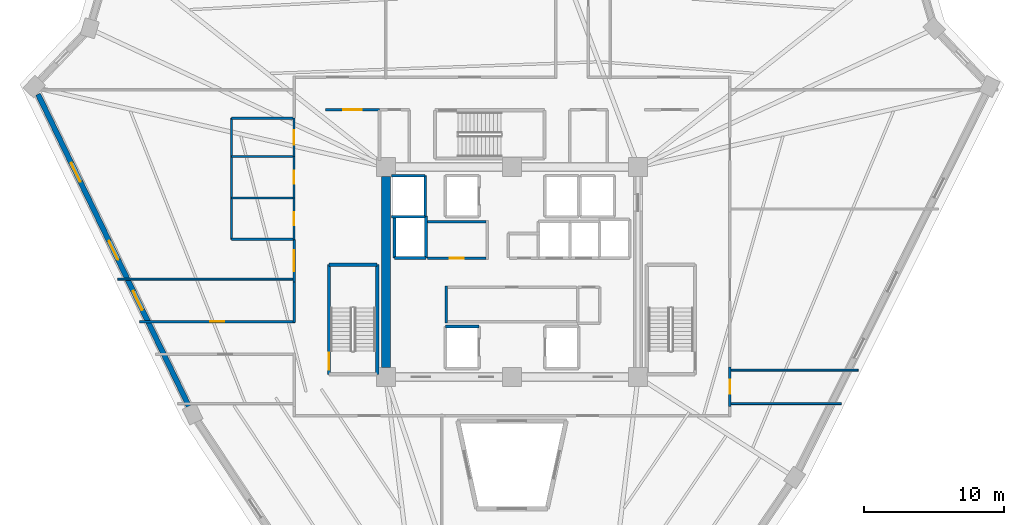
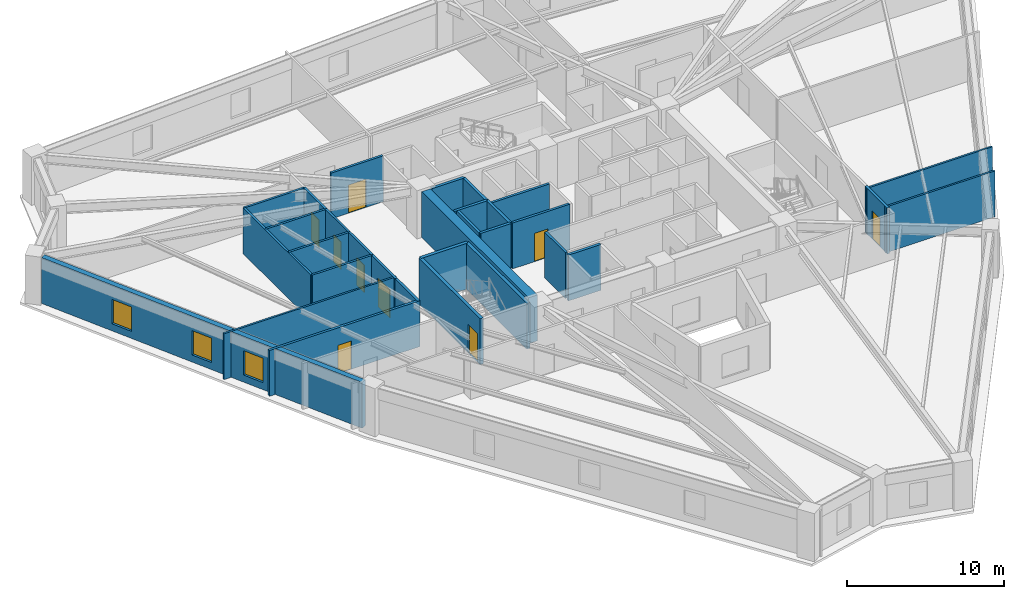
# One storey, part 4 of 8: 31 walls, 9 doors, 3 windows, 12 openings.
"""IFC4 building model written with IfcOpenShell, lengths in metres."""

from ifc_helpers import new_model, si_unit, direction, frame, frame_2d, origin, place, context, subcontext, project, spatial, rectangle, extrude, source, transform, mapped, material, layer, layer_set, type_object, element, fill, save


model = new_model("IFC4")

# Units and contexts
model_context = context("Model", 3, precision=1e-05, world=origin(), true_north=direction((0.0, 1.0)))
body_context = subcontext(model_context, "Body", "Model", "MODEL_VIEW")
ifc_project = project(units=[si_unit("LENGTHUNIT", "METRE"), si_unit("AREAUNIT", "SQUARE_METRE"), si_unit("VOLUMEUNIT", "CUBIC_METRE"), si_unit("PLANEANGLEUNIT", "RADIAN"), si_unit("MASSUNIT", "GRAM", prefix="KILO")], contexts=[model_context])

# Site, building, storey
site_placement = place(None, origin())
site = spatial("IfcSite", under=ifc_project, at=site_placement, CompositionType="ELEMENT")
building_placement = place(site_placement, origin())
building = spatial("IfcBuilding", under=site, at=building_placement, Name="Liaohun Quay Tower", CompositionType="ELEMENT")
storey_placement = place(building_placement, frame((0.0, 0.0, 198.0)))
storey = spatial("IfcBuildingStorey", under=building, at=storey_placement, Name="L51", CompositionType="ELEMENT", Elevation=198.0)

# Wall
ifc_material_1 = material(Name="Concrete C55", Category="concrete")
ifc_layer_1 = layer(ifc_material_1, 0.64990234375, Name="Concrete C55", Category="concrete")
ifc_layer_set_1 = layer_set([ifc_layer_1], Name="Concrete C55")
wall_type_1 = type_object("IfcWallType", Name="WAL-COR-Z3", PredefinedType="SHEAR", material=ifc_layer_set_1)
wall_1_placement = place(storey_placement, frame((51.0, 47.175048828125, 0.0), z_axis=(0.0, 0.0, 1.0), x_axis=(0.0, 1.0, 0.0)))
element("IfcWall", 1, at=wall_1_placement, inside=storey, type_object=wall_type_1, Name="L51 Central Core Shear Wall W", PredefinedType="SHEAR", context=body_context, shape_type="SweptSolid", body=[
    extrude(rectangle(XDim=13.64990234375, YDim=0.64990234375, at=frame_2d((6.824951171875, 0.0))), origin(), (0.0, 0.0, 1.0), 3.570068359375),
])

# Wall, openings, windows
ifc_material_2 = material(Name="Precast concrete C50 insulated sandwich", Category="concrete")
ifc_layer_2 = layer(ifc_material_2, 0.3798828125, Name="Precast concrete C50 insulated sandwich", Category="concrete")
ifc_layer_set_2 = layer_set([ifc_layer_2], Name="Precast concrete C50 insulated sandwich")
wall_type_2 = type_object("IfcWallType", Name="WAL-EXT-Z34", PredefinedType="SOLIDWALL", material=ifc_layer_set_2)
wall_2_placement = place(storey_placement, frame((26.1640625, 66.68701171875, 0.0), z_axis=(0.0, 0.0, 1.0), x_axis=(0.43538652966, -0.900243616912, 0.0)))
wall_2 = element("IfcWall", 2, at=wall_2_placement, inside=storey, type_object=wall_type_2, Name="L51 Brutalist Precast Pier Wall 10", PredefinedType="SOLIDWALL", context=body_context, shape_type="SweptSolid", body=[
    extrude(rectangle(XDim=24.736572265625, YDim=0.3798828125, at=frame_2d((12.3681640625, 0.0))), origin(), (0.0, 0.0, 1.0), 3.570068359375),
])
shared_shape_1 = source(origin(), body_context, "Body", "SweptSolid", [
    extrude(rectangle(XDim=1.5, YDim=1.89990234375, at=frame_2d((0.75, 0.949951171875))), frame((0.0, 0.199951171875, 0.0), z_axis=(0.0, -1.0, 0.0), x_axis=(1.0, 0.0, 0.0)), (0.0, 0.0, 1.0), 0.39990234375),
])
opening_1_placement = place(wall_2_placement, frame((5.43408203125, 0.0, 0.550048828125)))
opening_1 = element("IfcOpeningElement", 3, at=opening_1_placement, cuts=wall_2, Name="Opening W03", PredefinedType="OPENING", context=body_context, shape_type="MappedRepresentation", body=[
    mapped(shared_shape_1, transform((0.0, 0.0, 0.0), x_axis=(1.0, 0.0, 0.0), y_axis=(0.0, 1.0, 0.0), z_axis=(0.0, 0.0, 1.0), scale=1.0)),
])
opening_2_placement = place(wall_2_placement, frame((11.617919921875, 0.0, 0.550048828125)))
opening_2 = element("IfcOpeningElement", 4, at=opening_2_placement, cuts=wall_2, Name="Opening W03", PredefinedType="OPENING", context=body_context, shape_type="MappedRepresentation", body=[
    mapped(shared_shape_1, transform((0.0, 0.0, 0.0), x_axis=(1.0, 0.0, 0.0), y_axis=(0.0, 1.0, 0.0), z_axis=(0.0, 0.0, 1.0), scale=1.0)),
])
opening_3_placement = place(wall_2_placement, frame((15.60205078125, 0.0, 0.550048828125)))
opening_3 = element("IfcOpeningElement", 5, at=opening_3_placement, cuts=wall_2, Name="Opening W03", PredefinedType="OPENING", context=body_context, shape_type="MappedRepresentation", body=[
    mapped(shared_shape_1, transform((0.0, 0.0, 0.0), x_axis=(1.0, 0.0, 0.0), y_axis=(0.0, 1.0, 0.0), z_axis=(0.0, 0.0, 1.0), scale=1.0)),
])
ifc_material_3 = material(Name="Triple Low-E argon glazing in thermally broken aluminium", Category="aluminium")
window_type = type_object("IfcWindowType", Name="WIN-PUN-Z3", PartitioningType="DOUBLE_PANEL_VERTICAL", PredefinedType="WINDOW", material=ifc_material_3)
shared_shape_2 = source(origin(), body_context, "Body", "SweptSolid", [
    extrude(rectangle(XDim=1.5, YDim=1.89990234375, at=frame_2d((0.75, 0.949951171875))), frame((0.0, 0.030029296875, 0.0), z_axis=(0.0, -1.0, 0.0), x_axis=(1.0, 0.0, 0.0)), (0.0, 0.0, 1.0), 0.06005859375),
])
window_1_placement = place(opening_1_placement, origin())
window_1 = element("IfcWindow", 6, at=window_1_placement, inside=storey, type_object=window_type, Name="L51 Recessed Cold-Climate Punched Window 10-1", OverallHeight=1.89990234375, OverallWidth=1.5, PartitioningType="DOUBLE_PANEL_VERTICAL", PredefinedType="WINDOW", context=body_context, shape_type="MappedRepresentation", body=[
    mapped(shared_shape_2, transform((0.0, 0.0, 0.0), x_axis=(1.0, 0.0, 0.0), y_axis=(0.0, 1.0, 0.0), z_axis=(0.0, 0.0, 1.0), scale=1.0)),
])
fill(opening_1, window_1)
window_2_placement = place(opening_2_placement, origin())
window_2 = element("IfcWindow", 7, at=window_2_placement, inside=storey, type_object=window_type, Name="L51 Recessed Cold-Climate Punched Window 10-2", OverallHeight=1.89990234375, OverallWidth=1.5, PartitioningType="DOUBLE_PANEL_VERTICAL", PredefinedType="WINDOW", context=body_context, shape_type="MappedRepresentation", body=[
    mapped(shared_shape_2, transform((0.0, 0.0, 0.0), x_axis=(1.0, 0.0, 0.0), y_axis=(0.0, 1.0, 0.0), z_axis=(0.0, 0.0, 1.0), scale=1.0)),
])
fill(opening_2, window_2)
window_3_placement = place(opening_3_placement, origin())
window_3 = element("IfcWindow", 8, at=window_3_placement, inside=storey, type_object=window_type, Name="L51 Recessed Cold-Climate Punched Window 10-3", OverallHeight=1.89990234375, OverallWidth=1.5, PartitioningType="DOUBLE_PANEL_VERTICAL", PredefinedType="WINDOW", context=body_context, shape_type="MappedRepresentation", body=[
    mapped(shared_shape_2, transform((0.0, 0.0, 0.0), x_axis=(1.0, 0.0, 0.0), y_axis=(0.0, 1.0, 0.0), z_axis=(0.0, 0.0, 1.0), scale=1.0)),
])
fill(opening_3, window_3)

# Wall, opening, door
ifc_material_4 = material(Name="Autoclaved aerated concrete blockwork", Category="masonry")
ifc_layer_3 = layer(ifc_material_4, 0.179931640625, Name="Autoclaved aerated concrete blockwork", Category="masonry")
ifc_layer_set_3 = layer_set([ifc_layer_3], Name="Autoclaved aerated concrete blockwork")
wall_type_3 = type_object("IfcWallType", Name="WAL-PRT-COR", PredefinedType="PARTITIONING", material=ifc_layer_set_3)
wall_3_placement = place(storey_placement, frame((53.949951171875, 54.97998046875, 0.0), z_axis=(0.0, 0.0, 1.0), x_axis=(1.0, 0.0, 0.0)))
wall_3 = element("IfcWall", 9, at=wall_3_placement, inside=storey, type_object=wall_type_3, Name="L51 Interior Partition Wall 002", PredefinedType="PARTITIONING", context=body_context, shape_type="SweptSolid", body=[
    extrude(rectangle(XDim=4.2099609375, YDim=0.179931640625, at=frame_2d((2.10498046875, 0.0))), origin(), (0.0, 0.0, 1.0), 3.570068359375),
])
shared_shape_3 = source(origin(), body_context, "Body", "SweptSolid", [
    extrude(rectangle(XDim=1.0, YDim=2.199951171875, at=frame_2d((0.5, 1.10009765625))), frame((0.0, 0.099853515625, 0.0), z_axis=(0.0, -1.0, 0.0), x_axis=(1.0, 0.0, 0.0)), (0.0, 0.0, 1.0), 0.199951171875),
])
opening_4_placement = place(wall_3_placement, frame((1.60009765625, 0.0, 0.0)))
opening_4 = element("IfcOpeningElement", 10, at=opening_4_placement, cuts=wall_3, Name="Opening OD1", PredefinedType="OPENING", context=body_context, shape_type="MappedRepresentation", body=[
    mapped(shared_shape_3, transform((0.0, 0.0, 0.0), x_axis=(1.0, 0.0, 0.0), y_axis=(0.0, 1.0, 0.0), z_axis=(0.0, 0.0, 1.0), scale=1.0)),
])
ifc_material_5 = material(Name="Solid-core oak veneer timber leaf in steel frame", Category="steel")
door_type_1 = type_object("IfcDoorType", Name="DOR-OFF-1000", OperationType="NOTDEFINED", PredefinedType="DOOR", material=ifc_material_5)
shared_shape_4 = source(origin(), body_context, "Body", "SweptSolid", [
    extrude(rectangle(XDim=1.0, YDim=2.199951171875, at=frame_2d((0.5, 1.10009765625))), frame((0.0, 0.02490234375, 0.0), z_axis=(0.0, -1.0, 0.0), x_axis=(1.0, 0.0, 0.0)), (0.0, 0.0, 1.0), 0.050048828125),
])
door_1_placement = place(opening_4_placement, origin())
door_1 = element("IfcDoor", 11, at=door_1_placement, inside=storey, type_object=door_type_1, Name="L51 Core Staff Pantry and Tea Room Door", OperationType="SINGLE_SWING_RIGHT", OverallHeight=2.199951171875, OverallWidth=1.0, PredefinedType="DOOR", context=body_context, shape_type="MappedRepresentation", body=[
    mapped(shared_shape_4, transform((0.0, 0.0, 0.0), x_axis=(1.0, 0.0, 0.0), y_axis=(0.0, 1.0, 0.0), z_axis=(0.0, 0.0, 1.0), scale=1.0)),
])
fill(opening_4, door_1)

wall_4_placement = place(storey_placement, frame((46.699951171875, 65.580078125, 0.0), z_axis=(0.0, 0.0, 1.0), x_axis=(1.0, 0.0, 0.0)))
wall_4 = element("IfcWall", 12, at=wall_4_placement, inside=storey, type_object=wall_type_3, Name="L51 Interior Partition Wall 010", PredefinedType="PARTITIONING", context=body_context, shape_type="SweptSolid", body=[
    extrude(rectangle(XDim=3.840087890625, YDim=0.179931640625, at=frame_2d((1.919921875, 0.0))), origin(), (0.0, 0.0, 1.0), 3.570068359375),
])
shared_shape_5 = source(origin(), body_context, "Body", "SweptSolid", [
    extrude(rectangle(XDim=1.300048828125, YDim=2.199951171875, at=frame_2d((0.64990234375, 1.10009765625))), frame((0.0, 0.099853515625, 0.0), z_axis=(0.0, -1.0, 0.0), x_axis=(1.0, 0.0, 0.0)), (0.0, 0.0, 1.0), 0.199951171875),
])
opening_5_placement = place(wall_4_placement, frame((1.27001953125, 0.0, 0.0)))
opening_5 = element("IfcOpeningElement", 13, at=opening_5_placement, cuts=wall_4, Name="Opening FD1", PredefinedType="OPENING", context=body_context, shape_type="MappedRepresentation", body=[
    mapped(shared_shape_5, transform((0.0, 0.0, 0.0), x_axis=(1.0, 0.0, 0.0), y_axis=(0.0, 1.0, 0.0), z_axis=(0.0, 0.0, 1.0), scale=1.0)),
])
ifc_material_6 = material(Name="Galvanised steel smokeproof fire door", Category="steel")
door_type_2 = type_object("IfcDoorType", Name="DOR-FFL-1300", OperationType="NOTDEFINED", PredefinedType="DOOR", material=ifc_material_6)
shared_shape_6 = source(origin(), body_context, "Body", "SweptSolid", [
    extrude(rectangle(XDim=1.300048828125, YDim=2.199951171875, at=frame_2d((0.64990234375, 1.10009765625))), frame((0.0, 0.02490234375, 0.0), z_axis=(0.0, -1.0, 0.0), x_axis=(1.0, 0.0, 0.0)), (0.0, 0.0, 1.0), 0.050048828125),
])
door_2_placement = place(opening_5_placement, origin())
door_2 = element("IfcDoor", 14, at=door_2_placement, inside=storey, type_object=door_type_2, Name="L51 West Core Vestibule Door", OperationType="SINGLE_SWING_RIGHT", OverallHeight=2.199951171875, OverallWidth=1.300048828125, PredefinedType="DOOR", context=body_context, shape_type="MappedRepresentation", body=[
    mapped(shared_shape_6, transform((0.0, 0.0, 0.0), x_axis=(1.0, 0.0, 0.0), y_axis=(0.0, 1.0, 0.0), z_axis=(0.0, 0.0, 1.0), scale=1.0)),
])
fill(opening_5, door_2)

wall_5_placement = place(storey_placement, frame((44.43994140625, 53.284912109375, 0.0), z_axis=(0.0, 0.0, 1.0), x_axis=(0.0, 1.0, 0.0)))
wall_5 = element("IfcWall", 15, at=wall_5_placement, inside=storey, type_object=wall_type_3, Name="L51 Interior Partition Wall 017", PredefinedType="PARTITIONING", context=body_context, shape_type="SweptSolid", body=[
    extrude(rectangle(XDim=3.05517578125, YDim=0.179931640625, at=frame_2d((1.527587890625, 0.0))), origin(), (0.0, 0.0, 1.0), 3.570068359375),
])
shared_shape_7 = source(origin(), body_context, "Body", "SweptSolid", [
    extrude(rectangle(XDim=1.5, YDim=2.199951171875, at=frame_2d((0.75, 1.10009765625))), frame((0.0, 0.099853515625, 0.0), z_axis=(0.0, -1.0, 0.0), x_axis=(1.0, 0.0, 0.0)), (0.0, 0.0, 1.0), 0.199951171875),
])
opening_6_placement = place(wall_5_placement, frame((0.778076171875, 0.0, 0.0)))
opening_6 = element("IfcOpeningElement", 16, at=opening_6_placement, cuts=wall_5, Name="Opening OD2", PredefinedType="OPENING", context=body_context, shape_type="MappedRepresentation", body=[
    mapped(shared_shape_7, transform((0.0, 0.0, 0.0), x_axis=(1.0, 0.0, 0.0), y_axis=(0.0, 1.0, 0.0), z_axis=(0.0, 0.0, 1.0), scale=1.0)),
])
ifc_material_7 = material(Name="Acoustic oak veneer double door")
door_type_3 = type_object("IfcDoorType", Name="DOR-OFF-1500", OperationType="DOUBLE_DOOR_SINGLE_SWING", PredefinedType="DOOR", material=ifc_material_7)
shared_shape_8 = source(origin(), body_context, "Body", "SweptSolid", [
    extrude(rectangle(XDim=1.5, YDim=2.199951171875, at=frame_2d((0.75, 1.10009765625))), frame((0.0, 0.02490234375, 0.0), z_axis=(0.0, -1.0, 0.0), x_axis=(1.0, 0.0, 0.0)), (0.0, 0.0, 1.0), 0.050048828125),
])
door_3_placement = place(opening_6_placement, origin())
door_3 = element("IfcDoor", 17, at=door_3_placement, inside=storey, type_object=door_type_3, Name="L51 Staff Tea Kitchen and Pantry 06 Door", OperationType="DOUBLE_DOOR_SINGLE_SWING", OverallHeight=2.199951171875, OverallWidth=1.5, PredefinedType="DOOR", context=body_context, shape_type="MappedRepresentation", body=[
    mapped(shared_shape_8, transform((0.0, 0.0, 0.0), x_axis=(1.0, 0.0, 0.0), y_axis=(0.0, 1.0, 0.0), z_axis=(0.0, 0.0, 1.0), scale=1.0)),
])
fill(opening_6, door_3)

wall_6_placement = place(storey_placement, frame((33.419921875, 50.4599609375, 0.0), z_axis=(0.0, 0.0, 1.0), x_axis=(1.0, 0.0, 0.0)))
wall_6 = element("IfcWall", 18, at=wall_6_placement, inside=storey, type_object=wall_type_3, Name="L51 Interior Partition Wall 018", PredefinedType="PARTITIONING", context=body_context, shape_type="SweptSolid", body=[
    extrude(rectangle(XDim=11.090087890625, YDim=0.179931640625, at=frame_2d((5.544921875, 0.0))), origin(), (0.0, 0.0, 1.0), 3.570068359375),
])
opening_7_placement = place(wall_6_placement, frame((5.044921875, 0.0, 0.0)))
opening_7 = element("IfcOpeningElement", 19, at=opening_7_placement, cuts=wall_6, Name="Opening OD1", PredefinedType="OPENING", context=body_context, shape_type="MappedRepresentation", body=[
    mapped(shared_shape_3, transform((0.0, 0.0, 0.0), x_axis=(1.0, 0.0, 0.0), y_axis=(0.0, 1.0, 0.0), z_axis=(0.0, 0.0, 1.0), scale=1.0)),
])
door_4_placement = place(opening_7_placement, origin())
door_4 = element("IfcDoor", 20, at=door_4_placement, inside=storey, type_object=door_type_1, Name="L51 Staff Daycare Nursery 07 Door", OperationType="SINGLE_SWING_RIGHT", OverallHeight=2.199951171875, OverallWidth=1.0, PredefinedType="DOOR", context=body_context, shape_type="MappedRepresentation", body=[
    mapped(shared_shape_4, transform((0.0, 0.0, 0.0), x_axis=(1.0, 0.0, 0.0), y_axis=(0.0, 1.0, 0.0), z_axis=(0.0, 0.0, 1.0), scale=1.0)),
])
fill(opening_7, door_4)

wall_7_placement = place(storey_placement, frame((75.56005859375, 47.215087890625, 0.0), z_axis=(0.0, 0.0, 1.0), x_axis=(0.0, -1.0, 0.0)))
wall_7 = element("IfcWall", 21, at=wall_7_placement, inside=storey, type_object=wall_type_3, Name="L51 Interior Partition Wall 022", PredefinedType="PARTITIONING", context=body_context, shape_type="SweptSolid", body=[
    extrude(rectangle(XDim=2.830078125, YDim=0.179931640625, at=frame_2d((1.4150390625, 0.0))), origin(), (0.0, 0.0, 1.0), 3.570068359375),
])
opening_8_placement = place(wall_7_placement, frame((0.9150390625, 0.0, 0.0)))
opening_8 = element("IfcOpeningElement", 22, at=opening_8_placement, cuts=wall_7, Name="Opening OD1", PredefinedType="OPENING", context=body_context, shape_type="MappedRepresentation", body=[
    mapped(shared_shape_3, transform((0.0, 0.0, 0.0), x_axis=(1.0, 0.0, 0.0), y_axis=(0.0, 1.0, 0.0), z_axis=(0.0, 0.0, 1.0), scale=1.0)),
])
door_5_placement = place(opening_8_placement, origin())
door_5 = element("IfcDoor", 23, at=door_5_placement, inside=storey, type_object=door_type_1, Name="L51 Executive Partner Office 11 Door", OperationType="SINGLE_SWING_RIGHT", OverallHeight=2.199951171875, OverallWidth=1.0, PredefinedType="DOOR", context=body_context, shape_type="MappedRepresentation", body=[
    mapped(shared_shape_4, transform((0.0, 0.0, 0.0), x_axis=(1.0, 0.0, 0.0), y_axis=(0.0, 1.0, 0.0), z_axis=(0.0, 0.0, 1.0), scale=1.0)),
])
fill(opening_8, door_5)

# Walls
wall_8_placement = place(storey_placement, frame((44.43994140625, 50.389892578125, 0.0), z_axis=(0.0, 0.0, 1.0), x_axis=(0.0, 1.0, 0.0)))
element("IfcWall", 24, at=wall_8_placement, inside=storey, type_object=wall_type_3, Name="L51 Interior Partition Wall 043", PredefinedType="PARTITIONING", context=body_context, shape_type="SweptSolid", body=[
    extrude(rectangle(XDim=2.89501953125, YDim=0.179931640625, at=frame_2d((1.447509765625, 0.0))), origin(), (0.0, 0.0, 1.0), 3.570068359375),
])
wall_9_placement = place(storey_placement, frame((55.300048828125, 50.360107421875, 0.0), z_axis=(0.0, 0.0, 1.0), x_axis=(0.0, 1.0, 0.0)))
element("IfcWall", 25, at=wall_9_placement, inside=storey, type_object=wall_type_3, Name="L51 Interior Partition Wall 057", PredefinedType="PARTITIONING", context=body_context, shape_type="SweptSolid", body=[
    extrude(rectangle(XDim=2.64990234375, YDim=0.179931640625, at=frame_2d((1.324951171875, 0.0))), origin(), (0.0, 0.0, 1.0), 3.570068359375),
])
wall_10_placement = place(storey_placement, frame((53.949951171875, 57.580078125, 0.0), z_axis=(0.0, 0.0, 1.0), x_axis=(1.0, 0.0, 0.0)))
element("IfcWall", 26, at=wall_10_placement, inside=storey, type_object=wall_type_3, Name="L51 Interior Partition Wall 060", PredefinedType="PARTITIONING", context=body_context, shape_type="SweptSolid", body=[
    extrude(rectangle(XDim=4.2099609375, YDim=0.179931640625, at=frame_2d((2.10498046875, 0.0))), origin(), (0.0, 0.0, 1.0), 3.570068359375),
])
ifc_material_8 = material(Name="Gypsum board on twin steel studs", Category="steel")
ifc_layer_4 = layer(ifc_material_8, 0.139892578125, Name="Gypsum board on twin steel studs", Category="steel")
ifc_layer_set_4 = layer_set([ifc_layer_4], Name="Gypsum board on twin steel studs")
wall_type_4 = type_object("IfcWallType", Name="WAL-PRT-OFF", PredefinedType="PARTITIONING", material=ifc_layer_set_4)
wall_11_placement = place(storey_placement, frame((44.5400390625, 53.5, 0.0), z_axis=(0.0, 0.0, 1.0), x_axis=(-1.0, 0.0, 0.0)))
element("IfcWall", 27, at=wall_11_placement, inside=storey, type_object=wall_type_4, Name="L51 Interior Partition Wall 048", PredefinedType="PARTITIONING", context=body_context, shape_type="SweptSolid", body=[
    extrude(rectangle(XDim=12.697998046875, YDim=0.139892578125, at=frame_2d((6.34912109375, 0.0))), origin(), (0.0, 0.0, 1.0), 3.570068359375),
])
wall_12_placement = place(storey_placement, frame((75.4599609375, 44.60009765625, 0.0), z_axis=(0.0, 0.0, 1.0), x_axis=(1.0, 0.0, 0.0)))
element("IfcWall", 28, at=wall_12_placement, inside=storey, type_object=wall_type_4, Name="L51 Interior Partition Wall 050", PredefinedType="PARTITIONING", context=body_context, shape_type="SweptSolid", body=[
    extrude(rectangle(XDim=8.051025390625, YDim=0.139892578125, at=frame_2d((4.025390625, 0.0))), origin(), (0.0, 0.0, 1.0), 3.570068359375),
])
wall_13_placement = place(storey_placement, frame((75.4599609375, 47.0, 0.0), z_axis=(0.0, 0.0, 1.0), x_axis=(1.0, 0.0, 0.0)))
element("IfcWall", 29, at=wall_13_placement, inside=storey, type_object=wall_type_4, Name="L51 Interior Partition Wall 051", PredefinedType="PARTITIONING", context=body_context, shape_type="SweptSolid", body=[
    extrude(rectangle(XDim=9.248046875, YDim=0.139892578125, at=frame_2d((4.6240234375, 0.0))), origin(), (0.0, 0.0, 1.0), 3.570068359375),
])

# Wall, opening, door
ifc_material_9 = material(Name="Moisture-resistant masonry blockwork", Category="masonry")
ifc_layer_5 = layer(ifc_material_9, 0.159912109375, Name="Moisture-resistant masonry blockwork", Category="masonry")
ifc_layer_set_5 = layer_set([ifc_layer_5], Name="Moisture-resistant masonry blockwork")
wall_type_5 = type_object("IfcWallType", Name="WAL-PRT-WET", PredefinedType="PARTITIONING", material=ifc_layer_set_5)
wall_14_placement = place(storey_placement, frame((44.43994140625, 56.340087890625, 0.0), z_axis=(0.0, 0.0, 1.0), x_axis=(0.0, 1.0, 0.0)))
wall_14 = element("IfcWall", 30, at=wall_14_placement, inside=storey, type_object=wall_type_5, Name="L51 Interior Partition Wall 005", PredefinedType="PARTITIONING", context=body_context, shape_type="SweptSolid", body=[
    extrude(rectangle(XDim=2.93994140625, YDim=0.159912109375, at=frame_2d((1.469970703125, 0.0))), origin(), (0.0, 0.0, 1.0), 3.570068359375),
])
shared_shape_9 = source(origin(), body_context, "Body", "SweptSolid", [
    extrude(rectangle(XDim=0.949951171875, YDim=2.14990234375, at=frame_2d((0.47509765625, 1.074951171875))), frame((0.0, 0.08984375, 0.0), z_axis=(0.0, -1.0, 0.0), x_axis=(1.0, 0.0, 0.0)), (0.0, 0.0, 1.0), 0.179931640625),
])
opening_9_placement = place(wall_14_placement, frame((0.9951171875, 0.0, 0.0)))
opening_9 = element("IfcOpeningElement", 31, at=opening_9_placement, cuts=wall_14, Name="Opening WD1", PredefinedType="OPENING", context=body_context, shape_type="MappedRepresentation", body=[
    mapped(shared_shape_9, transform((0.0, 0.0, 0.0), x_axis=(1.0, 0.0, 0.0), y_axis=(0.0, 1.0, 0.0), z_axis=(0.0, 0.0, 1.0), scale=1.0)),
])
ifc_material_10 = material(Name="Moisture-resistant laminate timber leaf", Category="wood")
door_type_4 = type_object("IfcDoorType", Name="DOR-WC-950", OperationType="NOTDEFINED", PredefinedType="DOOR", material=ifc_material_10)
shared_shape_10 = source(origin(), body_context, "Body", "SweptSolid", [
    extrude(rectangle(XDim=0.949951171875, YDim=2.14990234375, at=frame_2d((0.47509765625, 1.074951171875))), frame((0.0, 0.02490234375, 0.0), z_axis=(0.0, -1.0, 0.0), x_axis=(1.0, 0.0, 0.0)), (0.0, 0.0, 1.0), 0.050048828125),
])
door_6_placement = place(opening_9_placement, origin())
door_6 = element("IfcDoor", 32, at=door_6_placement, inside=storey, type_object=door_type_4, Name="L51 Male Restroom WC Door", OperationType="SINGLE_SWING_LEFT", OverallHeight=2.14990234375, OverallWidth=0.949951171875, PredefinedType="DOOR", context=body_context, shape_type="MappedRepresentation", body=[
    mapped(shared_shape_10, transform((0.0, 0.0, 0.0), x_axis=(1.0, 0.0, 0.0), y_axis=(0.0, 1.0, 0.0), z_axis=(0.0, 0.0, 1.0), scale=1.0)),
])
fill(opening_9, door_6)

wall_15_placement = place(storey_placement, frame((44.43994140625, 59.280029296875, 0.0), z_axis=(0.0, 0.0, 1.0), x_axis=(0.0, 1.0, 0.0)))
wall_15 = element("IfcWall", 33, at=wall_15_placement, inside=storey, type_object=wall_type_5, Name="L51 Interior Partition Wall 006", PredefinedType="PARTITIONING", context=body_context, shape_type="SweptSolid", body=[
    extrude(rectangle(XDim=2.9599609375, YDim=0.159912109375, at=frame_2d((1.47998046875, 0.0))), origin(), (0.0, 0.0, 1.0), 3.570068359375),
])
opening_10_placement = place(wall_15_placement, frame((1.0048828125, 0.0, 0.0)))
opening_10 = element("IfcOpeningElement", 34, at=opening_10_placement, cuts=wall_15, Name="Opening WD1", PredefinedType="OPENING", context=body_context, shape_type="MappedRepresentation", body=[
    mapped(shared_shape_9, transform((0.0, 0.0, 0.0), x_axis=(1.0, 0.0, 0.0), y_axis=(0.0, 1.0, 0.0), z_axis=(0.0, 0.0, 1.0), scale=1.0)),
])
door_7_placement = place(opening_10_placement, origin())
door_7 = element("IfcDoor", 35, at=door_7_placement, inside=storey, type_object=door_type_4, Name="L51 Female Restroom WC Door", OperationType="SINGLE_SWING_RIGHT", OverallHeight=2.14990234375, OverallWidth=0.949951171875, PredefinedType="DOOR", context=body_context, shape_type="MappedRepresentation", body=[
    mapped(shared_shape_10, transform((0.0, 0.0, 0.0), x_axis=(1.0, 0.0, 0.0), y_axis=(0.0, 1.0, 0.0), z_axis=(0.0, 0.0, 1.0), scale=1.0)),
])
fill(opening_10, door_7)

wall_16_placement = place(storey_placement, frame((44.43994140625, 62.239990234375, 0.0), z_axis=(0.0, 0.0, 1.0), x_axis=(0.0, 1.0, 0.0)))
wall_16 = element("IfcWall", 36, at=wall_16_placement, inside=storey, type_object=wall_type_5, Name="L51 Interior Partition Wall 007", PredefinedType="PARTITIONING", context=body_context, shape_type="SweptSolid", body=[
    extrude(rectangle(XDim=2.739990234375, YDim=0.159912109375, at=frame_2d((1.3701171875, 0.0))), origin(), (0.0, 0.0, 1.0), 3.570068359375),
])
shared_shape_11 = source(origin(), body_context, "Body", "SweptSolid", [
    extrude(rectangle(XDim=1.050048828125, YDim=2.14990234375, at=frame_2d((0.52490234375, 1.074951171875))), frame((0.0, 0.08984375, 0.0), z_axis=(0.0, -1.0, 0.0), x_axis=(1.0, 0.0, 0.0)), (0.0, 0.0, 1.0), 0.179931640625),
])
opening_11_placement = place(wall_16_placement, frame((0.844970703125, 0.0, 0.0)))
opening_11 = element("IfcOpeningElement", 37, at=opening_11_placement, cuts=wall_16, Name="Opening WD2", PredefinedType="OPENING", context=body_context, shape_type="MappedRepresentation", body=[
    mapped(shared_shape_11, transform((0.0, 0.0, 0.0), x_axis=(1.0, 0.0, 0.0), y_axis=(0.0, 1.0, 0.0), z_axis=(0.0, 0.0, 1.0), scale=1.0)),
])
ifc_material_11 = material(Name="Accessible outward-swinging laminate door")
door_type_5 = type_object("IfcDoorType", Name="DOR-AWC-1050", OperationType="NOTDEFINED", PredefinedType="DOOR", material=ifc_material_11)
shared_shape_12 = source(origin(), body_context, "Body", "SweptSolid", [
    extrude(rectangle(XDim=1.050048828125, YDim=2.14990234375, at=frame_2d((0.52490234375, 1.074951171875))), frame((0.0, 0.02490234375, 0.0), z_axis=(0.0, -1.0, 0.0), x_axis=(1.0, 0.0, 0.0)), (0.0, 0.0, 1.0), 0.050048828125),
])
door_8_placement = place(opening_11_placement, origin())
door_8 = element("IfcDoor", 38, at=door_8_placement, inside=storey, type_object=door_type_5, Name="L51 Accessible WC Door", OperationType="SINGLE_SWING_LEFT", OverallHeight=2.14990234375, OverallWidth=1.050048828125, PredefinedType="DOOR", context=body_context, shape_type="MappedRepresentation", body=[
    mapped(shared_shape_12, transform((0.0, 0.0, 0.0), x_axis=(1.0, 0.0, 0.0), y_axis=(0.0, 1.0, 0.0), z_axis=(0.0, 0.0, 1.0), scale=1.0)),
])
fill(opening_11, door_8)

# Walls
wall_17_placement = place(storey_placement, frame((39.97998046875, 56.340087890625, 0.0), z_axis=(0.0, 0.0, 1.0), x_axis=(0.0, 1.0, 0.0)))
element("IfcWall", 39, at=wall_17_placement, inside=storey, type_object=wall_type_5, Name="L51 Interior Partition Wall 029", PredefinedType="PARTITIONING", context=body_context, shape_type="SweptSolid", body=[
    extrude(rectangle(XDim=8.639892578125, YDim=0.159912109375, at=frame_2d((4.31982421875, 0.0))), origin(), (0.0, 0.0, 1.0), 3.570068359375),
])
for number, where, z_axis, x_axis, name in (
    (40, (39.97998046875, 56.340087890625, 0.0), (0.0, 0.0, 1.0), (1.0, 0.0, 0.0), "L51 Interior Partition Wall 030"),
    (41, (39.97998046875, 59.280029296875, 0.0), (0.0, 0.0, 1.0), (1.0, 0.0, 0.0), "L51 Interior Partition Wall 031"),
    (42, (39.97998046875, 62.239990234375, 0.0), (0.0, 0.0, 1.0), (1.0, 0.0, 0.0), "L51 Interior Partition Wall 032"),
    (43, (39.97998046875, 64.97998046875, 0.0), (0.0, 0.0, 1.0), (1.0, 0.0, 0.0), "L51 Interior Partition Wall 033"),
):
    element("IfcWall", number, at=place(storey_placement, frame(where, z_axis=z_axis, x_axis=x_axis)), inside=storey, type_object=wall_type_5, Name=name, PredefinedType="PARTITIONING", context=body_context, shape_type="SweptSolid", body=[
        extrude(rectangle(XDim=4.4599609375, YDim=0.159912109375, at=frame_2d((2.22998046875, 0.0))), origin(), (0.0, 0.0, 1.0), 3.570068359375),
    ])
ifc_material_12 = material(Name="Concrete C50", Category="concrete")
ifc_layer_6 = layer(ifc_material_12, 0.239990234375, Name="Concrete C50", Category="concrete")
ifc_layer_set_6 = layer_set([ifc_layer_6], Name="Concrete C50")
wall_type_6 = type_object("IfcWallType", Name="WAL-SHF-200", PredefinedType="SOLIDWALL", material=ifc_layer_set_6)
wall_18_placement = place(storey_placement, frame((50.3798828125, 46.699951171875, 0.0), z_axis=(0.0, 0.0, 1.0), x_axis=(0.0, 1.0, 0.0)))
element("IfcWall", 44, at=wall_18_placement, inside=storey, type_object=wall_type_6, Name="L51 Stairwell ST-1 Structural Core Wall E", PredefinedType="SOLIDWALL", context=body_context, shape_type="SweptSolid", body=[
    extrude(rectangle(XDim=7.820068359375, YDim=0.239990234375, at=frame_2d((3.91015625, 0.0))), origin(), (0.0, 0.0, 1.0), 3.570068359375),
])
wall_19_placement = place(storey_placement, frame((50.3798828125, 54.52001953125, 0.0), z_axis=(0.0, 0.0, 1.0), x_axis=(-1.0, 0.0, 0.0)))
element("IfcWall", 45, at=wall_19_placement, inside=storey, type_object=wall_type_6, Name="L51 Stairwell ST-1 Structural Core Wall N", PredefinedType="SOLIDWALL", context=body_context, shape_type="SweptSolid", body=[
    extrude(rectangle(XDim=3.43994140625, YDim=0.239990234375, at=frame_2d((1.719970703125, 0.0))), origin(), (0.0, 0.0, 1.0), 3.570068359375),
])

# Wall, opening, door
wall_20_placement = place(storey_placement, frame((46.93994140625, 54.52001953125, 0.0), z_axis=(0.0, 0.0, 1.0), x_axis=(0.0, -1.0, 0.0)))
wall_20 = element("IfcWall", 46, at=wall_20_placement, inside=storey, type_object=wall_type_6, Name="L51 Stairwell ST-1 Structural Core Wall W", PredefinedType="SOLIDWALL", context=body_context, shape_type="SweptSolid", body=[
    extrude(rectangle(XDim=7.820068359375, YDim=0.239990234375, at=frame_2d((3.91015625, 0.0))), origin(), (0.0, 0.0, 1.0), 3.570068359375),
])
shared_shape_13 = source(origin(), body_context, "Body", "SweptSolid", [
    extrude(rectangle(XDim=1.199951171875, YDim=2.199951171875, at=frame_2d((0.60009765625, 1.10009765625))), frame((0.0, 0.1298828125, 0.0), z_axis=(0.0, -1.0, 0.0), x_axis=(1.0, 0.0, 0.0)), (0.0, 0.0, 1.0), 0.260009765625),
])
opening_12_placement = place(wall_20_placement, frame((6.300048828125, 0.0, 0.0)))
opening_12 = element("IfcOpeningElement", 47, at=opening_12_placement, cuts=wall_20, Name="Opening SD1", PredefinedType="OPENING", context=body_context, shape_type="MappedRepresentation", body=[
    mapped(shared_shape_13, transform((0.0, 0.0, 0.0), x_axis=(1.0, 0.0, 0.0), y_axis=(0.0, 1.0, 0.0), z_axis=(0.0, 0.0, 1.0), scale=1.0)),
])
ifc_material_13 = material(Name="Galvanised steel fire door", Category="steel")
door_type_6 = type_object("IfcDoorType", Name="DOR-STR-1200", OperationType="NOTDEFINED", PredefinedType="DOOR", material=ifc_material_13)
shared_shape_14 = source(origin(), body_context, "Body", "SweptSolid", [
    extrude(rectangle(XDim=1.199951171875, YDim=2.199951171875, at=frame_2d((0.60009765625, 1.10009765625))), frame((0.0, 0.02490234375, 0.0), z_axis=(0.0, -1.0, 0.0), x_axis=(1.0, 0.0, 0.0)), (0.0, 0.0, 1.0), 0.050048828125),
])
door_9_placement = place(opening_12_placement, origin())
door_9 = element("IfcDoor", 48, at=door_9_placement, inside=storey, type_object=door_type_6, Name="L51 Protected Stair ST-1 Fire Door", OperationType="SINGLE_SWING_LEFT", OverallHeight=2.199951171875, OverallWidth=1.199951171875, PredefinedType="DOOR", context=body_context, shape_type="MappedRepresentation", body=[
    mapped(shared_shape_14, transform((0.0, 0.0, 0.0), x_axis=(1.0, 0.0, 0.0), y_axis=(0.0, 1.0, 0.0), z_axis=(0.0, 0.0, 1.0), scale=1.0)),
])
fill(opening_12, door_9)

# Walls
wall_21_placement = place(storey_placement, frame((57.64990234375, 50.1201171875, 0.0), z_axis=(0.0, 0.0, 1.0), x_axis=(-1.0, 0.0, 0.0)))
element("IfcWall", 49, at=wall_21_placement, inside=storey, type_object=wall_type_6, Name="L51 Lift FF-01 Hoistway Wall N", PredefinedType="SOLIDWALL", context=body_context, shape_type="SweptSolid", body=[
    extrude(rectangle(XDim=2.39990234375, YDim=0.199951171875, at=frame_2d((1.199951171875, 0.0))), origin(), (0.0, 0.0, 1.0), 3.570068359375),
])
wall_22_placement = place(storey_placement, frame((51.39990234375, 57.949951171875, 0.0), z_axis=(0.0, 0.0, 1.0), x_axis=(1.0, 0.0, 0.0)))
element("IfcWall", 50, at=wall_22_placement, inside=storey, type_object=wall_type_6, Name="L51 Lift SH-01 Hoistway Wall S", PredefinedType="SOLIDWALL", context=body_context, shape_type="SweptSolid", body=[
    extrude(rectangle(XDim=2.400146484375, YDim=0.199951171875, at=frame_2d((1.2001953125, 0.0))), origin(), (0.0, 0.0, 1.0), 3.570068359375),
])
wall_23_placement = place(storey_placement, frame((53.800048828125, 57.949951171875, 0.0), z_axis=(0.0, 0.0, 1.0), x_axis=(0.0, 1.0, 0.0)))
element("IfcWall", 51, at=wall_23_placement, inside=storey, type_object=wall_type_6, Name="L51 Lift SH-01 Hoistway Wall E", PredefinedType="SOLIDWALL", context=body_context, shape_type="SweptSolid", body=[
    extrude(rectangle(XDim=2.929931640625, YDim=0.199951171875, at=frame_2d((1.46484375, 0.0))), origin(), (0.0, 0.0, 1.0), 3.570068359375),
])
wall_24_placement = place(storey_placement, frame((53.800048828125, 60.8798828125, 0.0), z_axis=(0.0, 0.0, 1.0), x_axis=(-1.0, 0.0, 0.0)))
element("IfcWall", 52, at=wall_24_placement, inside=storey, type_object=wall_type_6, Name="L51 Lift SH-01 Hoistway Wall N", PredefinedType="SOLIDWALL", context=body_context, shape_type="SweptSolid", body=[
    extrude(rectangle(XDim=2.400146484375, YDim=0.199951171875, at=frame_2d((1.2001953125, 0.0))), origin(), (0.0, 0.0, 1.0), 3.570068359375),
])
wall_25_placement = place(storey_placement, frame((51.6201171875, 55.0, 0.0), z_axis=(0.0, 0.0, 1.0), x_axis=(1.0, 0.0, 0.0)))
element("IfcWall", 53, at=wall_25_placement, inside=storey, type_object=wall_type_6, Name="L51 Lift SH-02 Hoistway Wall S", PredefinedType="SOLIDWALL", context=body_context, shape_type="SweptSolid", body=[
    extrude(rectangle(XDim=2.22998046875, YDim=0.199951171875, at=frame_2d((1.114990234375, 0.0))), origin(), (0.0, 0.0, 1.0), 3.570068359375),
])
for number, where, z_axis, x_axis, name in (
    (54, (53.85009765625, 55.0, 0.0), (0.0, 0.0, 1.0), (0.0, 1.0, 0.0), "L51 Lift SH-02 Hoistway Wall E"),
    (55, (51.6201171875, 58.0, 0.0), (0.0, 0.0, 1.0), (0.0, -1.0, 0.0), "L51 Lift SH-02 Hoistway Wall W"),
):
    element("IfcWall", number, at=place(storey_placement, frame(where, z_axis=z_axis, x_axis=x_axis)), inside=storey, type_object=wall_type_6, Name=name, PredefinedType="SOLIDWALL", context=body_context, shape_type="SweptSolid", body=[
        extrude(rectangle(XDim=3.0, YDim=0.199951171875, at=frame_2d((1.5, 0.0))), origin(), (0.0, 0.0, 1.0), 3.570068359375),
    ])

save(model, "model.ifc")
